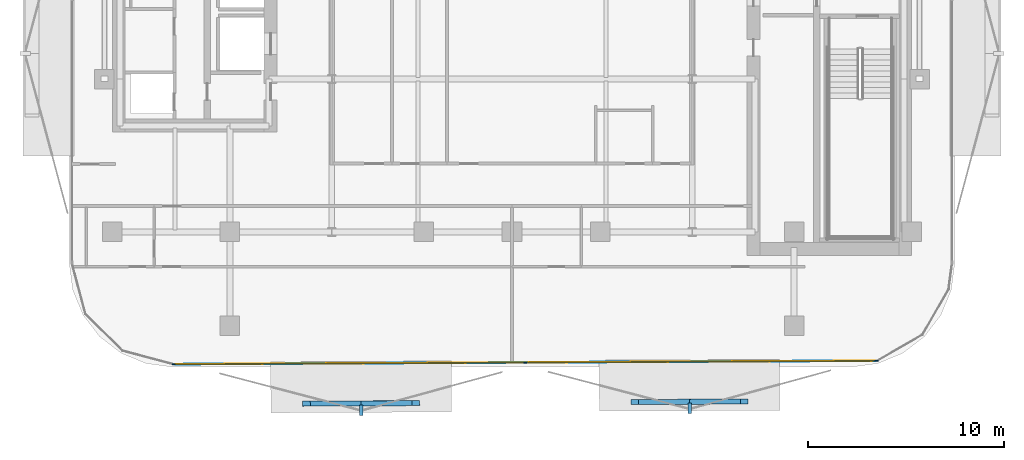
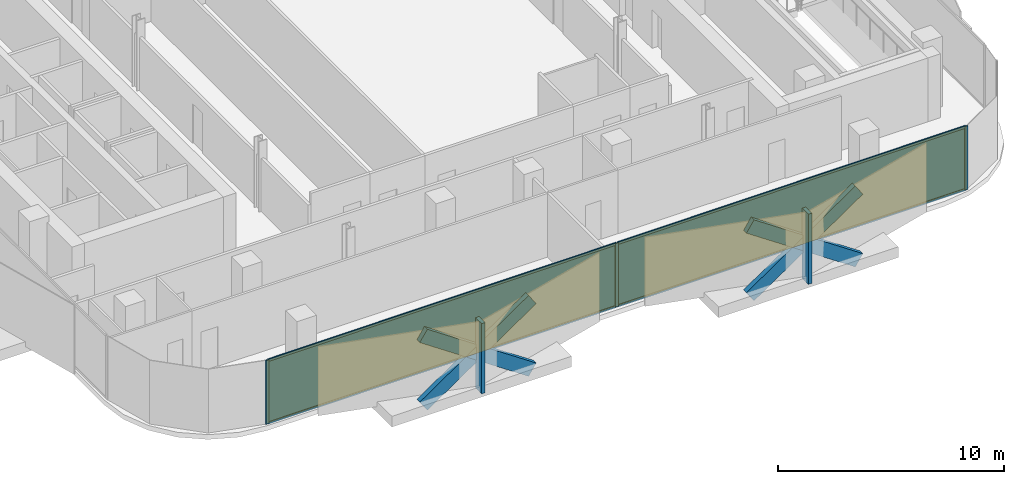
# One storey, part 9 of 17: 13 members, 2 plates, 1 curtain wall.
"""IFC4 building model written with IfcOpenShell, lengths in metres."""

from ifc_helpers import new_model, si_unit, direction, frame, frame_2d, origin, origin_2d, place, context, subcontext, project, spatial, rectangle, extrude, material, layer, layer_set, material_profile, profile_set, type_object, element, aggregate, save


model = new_model("IFC4")

# Units and contexts
model_context = context("Model", 3, precision=1e-05, world=origin(), true_north=direction((0.0, 1.0)))
body_context = subcontext(model_context, "Body", "Model", "MODEL_VIEW")
ifc_project = project(units=[si_unit("LENGTHUNIT", "METRE"), si_unit("AREAUNIT", "SQUARE_METRE"), si_unit("VOLUMEUNIT", "CUBIC_METRE"), si_unit("PLANEANGLEUNIT", "RADIAN"), si_unit("MASSUNIT", "GRAM", prefix="KILO")], contexts=[model_context])

# Member
ifc_material_1 = material(Name="Anodised Bronze Aluminium 6063-T6", Category="aluminium")
ifc_material_profile_1 = material_profile(ifc_material_1, rectangle(XDim=0.260009765625, YDim=0.699951171875, at=origin_2d()))
ifc_profile_set_1 = profile_set([ifc_material_profile_1], Name="Anodised Bronze Aluminium 6063-T6")
member_type_1 = type_object("IfcMemberType", Name="Bronze Diamond Solar-Screen Lattice Rib BDL-700", PredefinedType="MULLION", material=ifc_profile_set_1)
site_placement = place(None, origin())
building_placement = place(site_placement, origin())
storey_placement = place(building_placement, frame((0.0, 0.0, 210.60009765625)))
member_1_placement = place(storey_placement, frame((11.857666015625, -27.25634765625, -0.130126953125), z_axis=(-0.826888697943, -0.004082598107, 0.562350792305), x_axis=(-0.00768530149, 0.999962302626, -0.00404097366)))
member_1 = element("IfcMember", 1, at=member_1_placement, type_object=member_type_1, Name="L49 Bronze Diamond Solar Screen Lattice Rib 329A", PredefinedType="MULLION", context=body_context, shape_type="SweptSolid", body=[
    extrude(rectangle(XDim=0.260009765625, YDim=0.699951171875, at=origin_2d()), origin(), (0.0, 0.0, 1.0), 6.75732421875),
])

member_2_placement = place(storey_placement, frame((6.27001953125, -27.283935546875, -0.130126953125), z_axis=(0.826888697943, 0.004082598107, 0.562350792305), x_axis=(0.00768530149, -0.999962302626, -0.00404097366)))
member_2 = element("IfcMember", 2, at=member_2_placement, type_object=member_type_1, Name="L49 Bronze Diamond Solar Screen Lattice Rib 329B", PredefinedType="MULLION", context=body_context, shape_type="SweptSolid", body=[
    extrude(rectangle(XDim=0.260009765625, YDim=0.699951171875, at=origin_2d()), origin(), (0.0, 0.0, 1.0), 6.75732421875),
])

member_3_placement = place(storey_placement, frame((-4.905517578125, -27.339111328125, -0.130126953125), z_axis=(-0.826888819371, -0.004046469514, 0.562350874885), x_axis=(-0.007641611663, 0.999962637455, -0.004040973385)))
member_3 = element("IfcMember", 3, at=member_3_placement, type_object=member_type_1, Name="L49 Bronze Diamond Solar Screen Lattice Rib 330A", PredefinedType="MULLION", context=body_context, shape_type="SweptSolid", body=[
    extrude(rectangle(XDim=0.260009765625, YDim=0.699951171875, at=origin_2d()), origin(), (0.0, 0.0, 1.0), 6.75732421875),
])

member_4_placement = place(storey_placement, frame((-10.4931640625, -27.366455078125, -0.130126953125), z_axis=(0.826888819371, 0.004046469514, 0.562350874885), x_axis=(0.007641611663, -0.999962637455, -0.004040973385)))
member_4 = element("IfcMember", 4, at=member_4_placement, type_object=member_type_1, Name="L49 Bronze Diamond Solar Screen Lattice Rib 330B", PredefinedType="MULLION", context=body_context, shape_type="SweptSolid", body=[
    extrude(rectangle(XDim=0.260009765625, YDim=0.699951171875, at=origin_2d()), origin(), (0.0, 0.0, 1.0), 6.75732421875),
])

ifc_material_2 = material(Name="Anodised Bronze Aluminium 6063-T6", Category="aluminium")
ifc_material_profile_2 = material_profile(ifc_material_2, rectangle(XDim=0.179931640625, YDim=0.5400390625, at=origin_2d()))
ifc_profile_set_2 = profile_set([ifc_material_profile_2], Name="Anodised Bronze Aluminium 6063-T6")
member_type_2 = type_object("IfcMemberType", Name="Bronze Solar-Screen Vertical Fold Fin BSF-540", PredefinedType="MULLION", material=ifc_profile_set_2)
member_5_placement = place(storey_placement, frame((9.0654296875, -27.610107421875, -0.130126953125), z_axis=(0.0, 0.0, 1.0), x_axis=(-0.999988059021, -0.004886902454, 0.0)))
member_5 = element("IfcMember", 5, at=member_5_placement, type_object=member_type_2, Name="L49 Bronze Solar Screen Vertical Fin 329", PredefinedType="MULLION", context=body_context, shape_type="SweptSolid", body=[
    extrude(rectangle(XDim=0.179931640625, YDim=0.5400390625, at=origin_2d()), origin(), (0.0, 0.0, 1.0), 3.800048828125),
])

member_6_placement = place(storey_placement, frame((-7.697509765625, -27.69287109375, -0.130126953125), z_axis=(0.0, 0.0, 1.0), x_axis=(-0.999988059021, -0.004886902454, 0.0)))
member_6 = element("IfcMember", 6, at=member_6_placement, type_object=member_type_2, Name="L49 Bronze Solar Screen Vertical Fin 330", PredefinedType="MULLION", context=body_context, shape_type="SweptSolid", body=[
    extrude(rectangle(XDim=0.179931640625, YDim=0.5400390625, at=origin_2d()), origin(), (0.0, 0.0, 1.0), 3.800048828125),
])

ifc_material_3 = material(Name="Anodised Bronze Aluminium 6063-T6", Category="aluminium")
ifc_material_profile_3 = material_profile(ifc_material_3, rectangle(XDim=0.06005859375, YDim=0.1650390625, at=origin_2d()))
ifc_profile_set_3 = profile_set([ifc_material_profile_3], Name="Anodised Bronze Aluminium 6063-T6")
member_type_3 = type_object("IfcMemberType", Name="CW-Z3 Mullion 60x165", PredefinedType="MULLION", material=ifc_profile_set_3)
member_7_placement = place(storey_placement, frame((18.605224609375, -25.18310546875, 0.0), z_axis=(0.0, 0.0, 1.0), x_axis=(0.004926734175, -0.999987863572, 0.0)))
member_7 = element("IfcMember", 7, at=member_7_placement, type_object=member_type_3, Name="CW-Z3 mullion 1", PredefinedType="MULLION", context=body_context, shape_type="SweptSolid", body=[
    extrude(rectangle(XDim=0.06005859375, YDim=0.1650390625, at=origin_2d()), origin(), (0.0, 0.0, 1.0), 3.449951171875),
])

member_8_placement = place(storey_placement, frame((0.672119140625, -25.271484375, 0.0), z_axis=(0.0, 0.0, 1.0), x_axis=(0.004926734175, -0.999987863572, 0.0)))
member_8 = element("IfcMember", 8, at=member_8_placement, type_object=member_type_3, Name="CW-Z3 mullion 2", PredefinedType="MULLION", context=body_context, shape_type="SweptSolid", body=[
    extrude(rectangle(XDim=0.06005859375, YDim=0.1650390625, at=origin_2d()), origin(), (0.0, 0.0, 1.0), 3.449951171875),
])

member_9_placement = place(storey_placement, frame((-17.2607421875, -25.35986328125, 0.0), z_axis=(0.0, 0.0, 1.0), x_axis=(0.004926734175, -0.999987863572, 0.0)))
member_9 = element("IfcMember", 9, at=member_9_placement, type_object=member_type_3, Name="CW-Z3 mullion 3", PredefinedType="MULLION", context=body_context, shape_type="SweptSolid", body=[
    extrude(rectangle(XDim=0.06005859375, YDim=0.1650390625, at=origin_2d()), origin(), (0.0, 0.0, 1.0), 3.449951171875),
])

ifc_material_4 = material(Name="Anodised Bronze Aluminium 6063-T6", Category="aluminium")
ifc_material_profile_4 = material_profile(ifc_material_4, rectangle(XDim=0.06005859375, YDim=0.1298828125, at=origin_2d()))
ifc_profile_set_4 = profile_set([ifc_material_profile_4], Name="Anodised Bronze Aluminium 6063-T6")
member_type_4 = type_object("IfcMemberType", Name="CW-Z3 Transom 60x130", PredefinedType="USERDEFINED", material=ifc_profile_set_4)
member_10_placement = place(storey_placement, frame((18.5751953125, -25.183349609375, 0.02978515625), z_axis=(-0.999987909339, -0.0049174359, 0.0), x_axis=(0.0049174359, -0.999987909339, 0.0)))
member_10 = element("IfcMember", 10, at=member_10_placement, type_object=member_type_4, Name="CW-Z3 transom 1.1", ObjectType="TRANSOM", PredefinedType="USERDEFINED", context=body_context, shape_type="SweptSolid", body=[
    extrude(rectangle(XDim=0.06005859375, YDim=0.1298828125, at=origin_2d()), origin(), (0.0, 0.0, 1.0), 17.873291015625),
])

member_11_placement = place(storey_placement, frame((18.5751953125, -25.183349609375, 3.419921875), z_axis=(-0.999987909339, -0.0049174359, 0.0), x_axis=(0.0049174359, -0.999987909339, 0.0)))
member_11 = element("IfcMember", 11, at=member_11_placement, type_object=member_type_4, Name="CW-Z3 transom 1.2", ObjectType="TRANSOM", PredefinedType="USERDEFINED", context=body_context, shape_type="SweptSolid", body=[
    extrude(rectangle(XDim=0.06005859375, YDim=0.1298828125, at=origin_2d()), origin(), (0.0, 0.0, 1.0), 17.873291015625),
])

member_12_placement = place(storey_placement, frame((0.64208984375, -25.271728515625, 0.02978515625), z_axis=(-0.999987909009, -0.00491750307, 0.0), x_axis=(0.00491750307, -0.999987909009, 0.0)))
member_12 = element("IfcMember", 12, at=member_12_placement, type_object=member_type_4, Name="CW-Z3 transom 2.1", ObjectType="TRANSOM", PredefinedType="USERDEFINED", context=body_context, shape_type="SweptSolid", body=[
    extrude(rectangle(XDim=0.06005859375, YDim=0.1298828125, at=origin_2d()), origin(), (0.0, 0.0, 1.0), 17.873046875),
])

member_13_placement = place(storey_placement, frame((0.64208984375, -25.271728515625, 3.419921875), z_axis=(-0.999987909009, -0.00491750307, 0.0), x_axis=(0.00491750307, -0.999987909009, 0.0)))
member_13 = element("IfcMember", 13, at=member_13_placement, type_object=member_type_4, Name="CW-Z3 transom 2.2", ObjectType="TRANSOM", PredefinedType="USERDEFINED", context=body_context, shape_type="SweptSolid", body=[
    extrude(rectangle(XDim=0.06005859375, YDim=0.1298828125, at=origin_2d()), origin(), (0.0, 0.0, 1.0), 17.873046875),
])

# Plate
ifc_material_5 = material(Name="Low-E Solar Control Laminated Glass", Category="glass")
ifc_layer_1 = layer(ifc_material_5, 0.030029296875, Name="Low-E Solar Control Laminated Glass")
ifc_layer_set_1 = layer_set([ifc_layer_1], Name="Low-E Solar Control Laminated Glass")
plate_type = type_object("IfcPlateType", Name="CW-Z3 Low-E Double Glazed Panel 30mm", PredefinedType="CURTAIN_PANEL", material=ifc_layer_set_1)
plate_1_placement = place(storey_placement, frame((9.638671875, -25.227294921875, 0.059814453125), z_axis=(0.0, 0.0, 1.0), x_axis=(-0.999987863572, -0.004926734175, 0.0)))
plate_1 = element("IfcPlate", 14, at=plate_1_placement, type_object=plate_type, Name="CW-Z3 panel 1.1", PredefinedType="CURTAIN_PANEL", context=body_context, shape_type="SweptSolid", body=[
    extrude(rectangle(XDim=17.873291015625, YDim=0.030029296875, at=origin_2d()), origin(), (0.0, 0.0, 1.0), 3.330078125),
])

plate_2_placement = place(storey_placement, frame((-8.294189453125, -25.315673828125, 0.059814453125), z_axis=(0.0, 0.0, 1.0), x_axis=(-0.999987863572, -0.004926734175, 0.0)))
plate_2 = element("IfcPlate", 15, at=plate_2_placement, type_object=plate_type, Name="CW-Z3 panel 2.1", PredefinedType="CURTAIN_PANEL", context=body_context, shape_type="SweptSolid", body=[
    extrude(rectangle(XDim=17.873291015625, YDim=0.030029296875, at=origin_2d()), origin(), (0.0, 0.0, 1.0), 3.330078125),
])

# Site, building, storey
site = spatial("IfcSite", under=ifc_project, at=site_placement, CompositionType="ELEMENT")
building = spatial("IfcBuilding", under=site, at=building_placement, Name="Khairoan Windgate Tower", CompositionType="ELEMENT")
storey = spatial("IfcBuildingStorey", under=building, at=storey_placement, Name="L49", CompositionType="ELEMENT", Elevation=210.60009765625)

# Curtain wall
ifc_material_6 = material(Name="Anodised Bronze Aluminium 6063-T6", Category="aluminium")
ifc_layer_2 = layer(ifc_material_6, 0.1650390625, Name="Anodised Bronze Aluminium 6063-T6")
ifc_layer_set_2 = layer_set([ifc_layer_2], Name="Anodised Bronze Aluminium 6063-T6")
curtain_wall_type = type_object("IfcCurtainWallType", Name="Luxury Hotel Acoustic Curtain Wall CW-Z3", PredefinedType="NOTDEFINED", material=ifc_layer_set_2)
curtain_wall_placement = place(storey_placement, frame((18.63525390625, -25.18310546875, 0.0), z_axis=(0.0, 0.0, 1.0), x_axis=(-0.999987863321, -0.004926785053, 0.0)))
curtain_wall = element("IfcCurtainWall", 16, at=curtain_wall_placement, inside=storey, type_object=curtain_wall_type, Name="L49 Unitised Curtain Wall 1", PredefinedType="NOTDEFINED", context=body_context, shape_type="SweptSolid", body=[
    extrude(rectangle(XDim=35.926513671875, YDim=0.010009765625, at=frame_2d((17.96337890625, 0.0))), origin(), (0.0, 0.0, 1.0), 3.449951171875),
])

aggregate(curtain_wall, [member_7, member_8, member_9, member_10, member_11, plate_1, member_12, member_13, plate_2, member_1, member_2, member_5, member_3, member_4, member_6])

save(model, "model.ifc")
